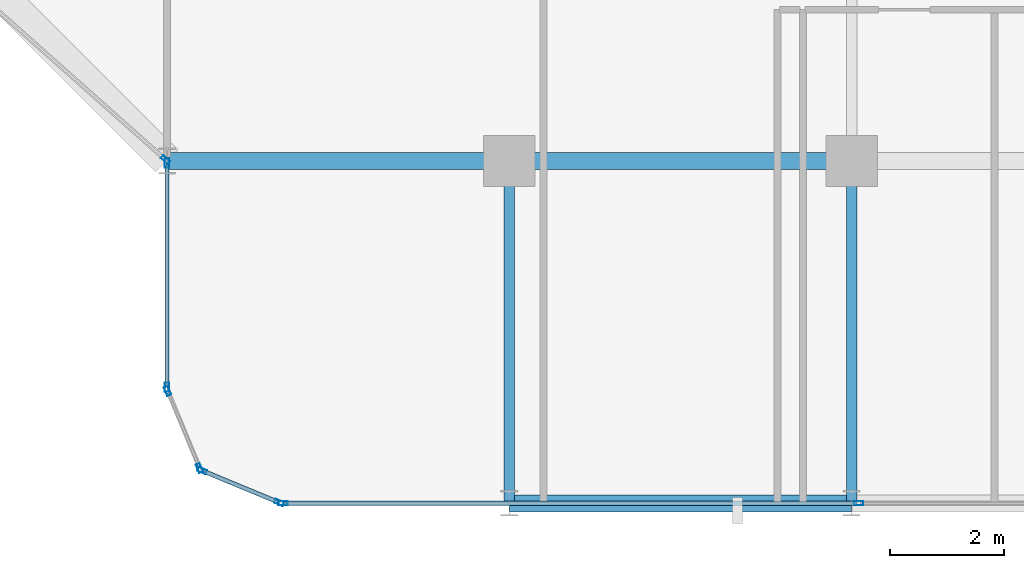
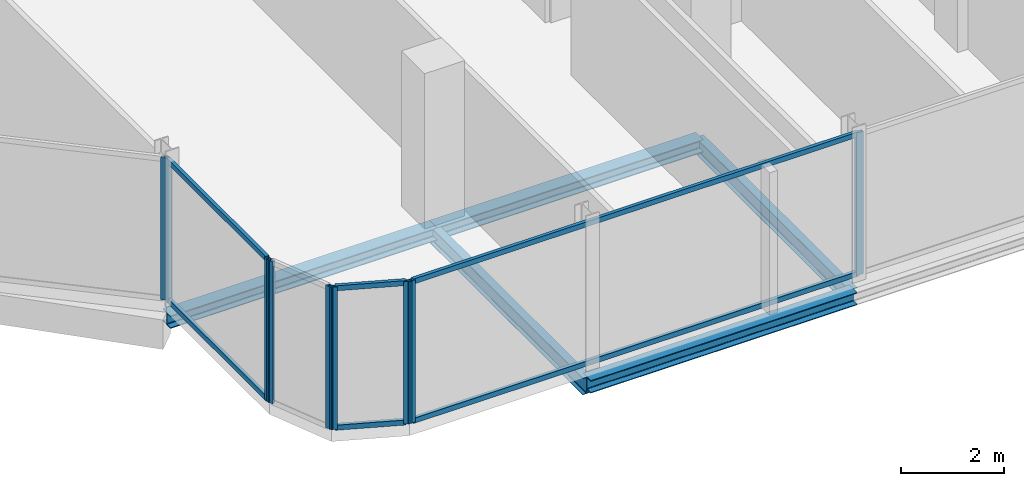
# One storey, part 6 of 29: 15 members, 5 beams, 5 elements without a shape of their own.
"""IFC4 building model written with IfcOpenShell, lengths in metres."""

from ifc_helpers import new_model, si_unit, direction, frame, origin, origin_2d, place, context, subcontext, project, spatial, hollow_rectangle, i_section, extrude, material, layer, layer_set, material_profile, profile_set, type_object, element, aggregate, save


model = new_model("IFC4")

# Units and contexts
model_context = context("Model", 3, precision=1e-05, world=origin(), true_north=direction((0.0, 1.0)))
body_context = subcontext(model_context, "Body", "Model", "MODEL_VIEW")
ifc_project = project(units=[si_unit("LENGTHUNIT", "METRE"), si_unit("AREAUNIT", "SQUARE_METRE"), si_unit("VOLUMEUNIT", "CUBIC_METRE"), si_unit("PLANEANGLEUNIT", "RADIAN"), si_unit("MASSUNIT", "GRAM", prefix="KILO")], contexts=[model_context])

# Site, building, storey
site_placement = place(None, origin())
site = spatial("IfcSite", under=ifc_project, at=site_placement, CompositionType="ELEMENT")
building_placement = place(site_placement, origin())
building = spatial("IfcBuilding", under=site, at=building_placement, Name="Keshet Zoharim Tower", CompositionType="ELEMENT")
storey_placement = place(building_placement, frame((0.0, 0.0, 203.199951171875)))
storey = spatial("IfcBuildingStorey", under=building, at=storey_placement, Name="L50", CompositionType="ELEMENT", Elevation=203.199951171875)

# Beams
ifc_material_1 = material(Name="Steel S355", Category="steel")
ifc_material_profile_1 = material_profile(ifc_material_1, i_section(OverallWidth=0.300048828125, OverallDepth=0.300048828125, WebThickness=0.010986328125, FlangeThickness=0.01904296875, FilletRadius=0.027099609375, at=origin_2d()), Name="HEB300")
ifc_profile_set_1 = profile_set([ifc_material_profile_1], Name="Steel S355")
beam_type_1 = type_object("IfcBeamType", Name="BM-PRI-HB300", PredefinedType="BEAM", material=ifc_profile_set_1)
for number, where, z_axis, x_axis, name in (
    (1, (27.0, 0.699951171875, -0.4599609375), (1.0, 0.0, 0.0), (0.0, 1.0, 0.0), "L50 Primary Girder X-001"),
    (2, (21.0, 6.699951171875, -0.4599609375), (1.0, 0.0, 0.0), (0.0, 1.0, 0.0), "L50 Primary Girder X-005"),
    (3, (27.0, 6.699951171875, -0.4599609375), (1.0, 0.0, 0.0), (0.0, 1.0, 0.0), "L50 Primary Girder X-006"),
):
    element("IfcBeam", number, at=place(storey_placement, frame(where, z_axis=z_axis, x_axis=x_axis)), inside=storey, type_object=beam_type_1, Name=name, PredefinedType="BEAM", context=body_context, shape_type="SweptSolid", body=[
        extrude(i_section(OverallWidth=0.300048828125, OverallDepth=0.300048828125, WebThickness=0.010986328125, FlangeThickness=0.01904296875, FilletRadius=0.027099609375, at=origin_2d()), origin(), (0.0, 0.0, 1.0), 6.0),
    ])
ifc_material_profile_2 = material_profile(ifc_material_1, i_section(OverallWidth=0.179931640625, OverallDepth=0.39990234375, WebThickness=0.008544921875, FlangeThickness=0.013427734375, FilletRadius=0.02099609375, at=origin_2d()), Name="IPE400")
ifc_profile_set_2 = profile_set([ifc_material_profile_2], Name="Steel S355")
beam_type_2 = type_object("IfcBeamType", Name="BM-PRI-IP400", PredefinedType="BEAM", material=ifc_profile_set_2)
for number, where, z_axis, x_axis, name in (
    (4, (27.0, 0.699951171875, -0.510009765625), (0.0, 1.0, 0.0), (-1.0, 0.0, 0.0), "L50 Primary Girder Y-004"),
    (5, (33.0, 0.699951171875, -0.510009765625), (0.0, 1.0, 0.0), (-1.0, 0.0, 0.0), "L50 Primary Girder Y-005"),
):
    element("IfcBeam", number, at=place(storey_placement, frame(where, z_axis=z_axis, x_axis=x_axis)), inside=storey, type_object=beam_type_2, Name=name, PredefinedType="BEAM", context=body_context, shape_type="SweptSolid", body=[
        extrude(i_section(OverallWidth=0.179931640625, OverallDepth=0.39990234375, WebThickness=0.008544921875, FlangeThickness=0.013427734375, FilletRadius=0.02099609375, at=origin_2d()), origin(), (0.0, 0.0, 1.0), 6.0),
    ])

# Curtain wall, members
ifc_material_2 = material(Name="Aluminium 6063-T6", Category="aluminium")
ifc_layer = layer(ifc_material_2, 0.139892578125)
ifc_layer_set = layer_set([ifc_layer], Name="Aluminium 6063-T6")
curtain_wall_type = type_object("IfcCurtainWallType", Name="CW-SYS-05", PredefinedType="NOTDEFINED", material=ifc_layer_set)
curtain_wall_1_placement = place(storey_placement, origin())
curtain_wall_1 = element("IfcCurtainWall", 6, at=curtain_wall_1_placement, inside=storey, type_object=curtain_wall_type, Name="L50 Unitised Curtain Wall 06 Part 3", PredefinedType="NOTDEFINED")
ifc_material_profile_3 = material_profile(ifc_material_2, hollow_rectangle(XDim=0.074951171875, YDim=0.159912109375, WallThickness=0.00390625, at=origin_2d()), Name="MUL-75x160")
ifc_profile_set_3 = profile_set([ifc_material_profile_3], Name="Aluminium 6063-T6")
member_type_1 = type_object("IfcMemberType", Name="CWM-M15", PredefinedType="MULLION", material=ifc_profile_set_3)
member_1_placement = place(storey_placement, frame((33.1259765625, 0.699951171875, 0.0), z_axis=(0.0, 0.0, 1.0), x_axis=(0.0, -1.0, 0.0)))
member_1 = element("IfcMember", 7, at=member_1_placement, type_object=member_type_1, Name="CW-05 mullion 2", PredefinedType="MULLION", context=body_context, shape_type="SweptSolid", body=[
    extrude(hollow_rectangle(XDim=0.074951171875, YDim=0.159912109375, WallThickness=0.00390625, at=origin_2d()), origin(), (0.0, 0.0, 1.0), 3.39013671875),
])
member_2_placement = place(storey_placement, frame((23.034912109375, 0.699951171875, 0.0), z_axis=(0.0, 0.0, 1.0), x_axis=(0.0, -1.0, 0.0)))
member_2 = element("IfcMember", 8, at=member_2_placement, type_object=member_type_1, Name="CW-05 mullion 3", PredefinedType="MULLION", context=body_context, shape_type="SweptSolid", body=[
    extrude(hollow_rectangle(XDim=0.074951171875, YDim=0.159912109375, WallThickness=0.00390625, at=origin_2d()), origin(), (0.0, 0.0, 1.0), 3.39013671875),
])

curtain_wall_2_placement = place(storey_placement, origin())
curtain_wall_2 = element("IfcCurtainWall", 9, at=curtain_wall_2_placement, inside=storey, type_object=curtain_wall_type, Name="L50 Unitised Curtain Wall 07", PredefinedType="NOTDEFINED")
member_3_placement = place(storey_placement, frame((22.9677734375, 0.71337890625, 0.0), z_axis=(0.0, 0.0, 1.0), x_axis=(-0.382851849847, -0.92380975372, 0.0)))
member_3 = element("IfcMember", 10, at=member_3_placement, type_object=member_type_1, Name="CW-05 mullion 1", PredefinedType="MULLION", context=body_context, shape_type="SweptSolid", body=[
    extrude(hollow_rectangle(XDim=0.074951171875, YDim=0.159912109375, WallThickness=0.00390625, at=origin_2d()), origin(), (0.0, 0.0, 1.0), 3.39013671875),
])
member_4_placement = place(storey_placement, frame((21.618408203125, 1.272705078125, 0.0), z_axis=(0.0, 0.0, 1.0), x_axis=(-0.382851849847, -0.92380975372, 0.0)))
member_4 = element("IfcMember", 11, at=member_4_placement, type_object=member_type_1, Name="CW-05 mullion 2", PredefinedType="MULLION", context=body_context, shape_type="SweptSolid", body=[
    extrude(hollow_rectangle(XDim=0.074951171875, YDim=0.159912109375, WallThickness=0.00390625, at=origin_2d()), origin(), (0.0, 0.0, 1.0), 3.39013671875),
])

curtain_wall_3_placement = place(storey_placement, origin())
curtain_wall_3 = element("IfcCurtainWall", 12, at=curtain_wall_3_placement, inside=storey, type_object=curtain_wall_type, Name="L50 Unitised Curtain Wall 08", PredefinedType="NOTDEFINED")
member_5_placement = place(storey_placement, frame((21.572509765625, 1.318359375, 0.0), z_axis=(0.0, 0.0, 1.0), x_axis=(-0.92380975372, -0.382851849847, 0.0)))
member_5 = element("IfcMember", 13, at=member_5_placement, type_object=member_type_1, Name="CW-05 mullion 1", PredefinedType="MULLION", context=body_context, shape_type="SweptSolid", body=[
    extrude(hollow_rectangle(XDim=0.074951171875, YDim=0.159912109375, WallThickness=0.00390625, at=origin_2d()), origin(), (0.0, 0.0, 1.0), 3.39013671875),
])
member_6_placement = place(storey_placement, frame((21.013427734375, 2.667724609375, 0.0), z_axis=(0.0, 0.0, 1.0), x_axis=(-0.92380975372, -0.382851849847, 0.0)))
member_6 = element("IfcMember", 14, at=member_6_placement, type_object=member_type_1, Name="CW-05 mullion 2", PredefinedType="MULLION", context=body_context, shape_type="SweptSolid", body=[
    extrude(hollow_rectangle(XDim=0.074951171875, YDim=0.159912109375, WallThickness=0.00390625, at=origin_2d()), origin(), (0.0, 0.0, 1.0), 3.39013671875),
])
aggregate(curtain_wall_3, [member_5, member_6])

curtain_wall_4_placement = place(storey_placement, origin())
curtain_wall_4 = element("IfcCurtainWall", 15, at=curtain_wall_4_placement, inside=storey, type_object=curtain_wall_type, Name="L50 Unitised Curtain Wall 09", PredefinedType="NOTDEFINED")
member_7_placement = place(storey_placement, frame((21.0, 2.735107421875, 0.0), z_axis=(0.0, 0.0, 1.0), x_axis=(-1.0, 0.0, 0.0)))
member_7 = element("IfcMember", 16, at=member_7_placement, type_object=member_type_1, Name="CW-05 mullion 1", PredefinedType="MULLION", context=body_context, shape_type="SweptSolid", body=[
    extrude(hollow_rectangle(XDim=0.074951171875, YDim=0.159912109375, WallThickness=0.00390625, at=origin_2d()), origin(), (0.0, 0.0, 1.0), 3.39013671875),
])
member_8_placement = place(storey_placement, frame((21.0, 6.6650390625, 0.0), z_axis=(0.0, 0.0, 1.0), x_axis=(-1.0, 0.0, 0.0)))
member_8 = element("IfcMember", 17, at=member_8_placement, type_object=member_type_1, Name="CW-05 mullion 2", PredefinedType="MULLION", context=body_context, shape_type="SweptSolid", body=[
    extrude(hollow_rectangle(XDim=0.074951171875, YDim=0.159912109375, WallThickness=0.00390625, at=origin_2d()), origin(), (0.0, 0.0, 1.0), 3.39013671875),
])

# Curtain wall, member
curtain_wall_5_placement = place(storey_placement, origin())
curtain_wall_5 = element("IfcCurtainWall", 18, at=curtain_wall_5_placement, inside=storey, type_object=curtain_wall_type, Name="L50 Unitised Curtain Wall 10", PredefinedType="NOTDEFINED")
member_9_placement = place(storey_placement, frame((20.973876953125, 6.72314453125, 0.0), z_axis=(0.0, 0.0, 1.0), x_axis=(-0.664367613066, -0.74740596379, 0.0)))
member_9 = element("IfcMember", 19, at=member_9_placement, type_object=member_type_1, Name="CW-05 mullion 1", PredefinedType="MULLION", context=body_context, shape_type="SweptSolid", body=[
    extrude(hollow_rectangle(XDim=0.074951171875, YDim=0.159912109375, WallThickness=0.00390625, at=origin_2d()), origin(), (0.0, 0.0, 1.0), 3.39013671875),
])
aggregate(curtain_wall_5, [member_9])

# Member
ifc_material_profile_4 = material_profile(ifc_material_2, hollow_rectangle(XDim=0.074951171875, YDim=0.1201171875, WallThickness=0.00390625, at=origin_2d()), Name="TRN-75x120")
ifc_profile_set_4 = profile_set([ifc_material_profile_4], Name="Aluminium 6063-T6")
member_type_2 = type_object("IfcMemberType", Name="CWT-T12", PredefinedType="USERDEFINED", material=ifc_profile_set_4)
member_10_placement = place(storey_placement, frame((33.091064453125, 0.699951171875, 0.03515625), z_axis=(-1.0, 0.0, 0.0), x_axis=(0.0, -1.0, 0.0)))
member_10 = element("IfcMember", 20, at=member_10_placement, type_object=member_type_2, Name="CW-05 transom 2.1", ObjectType="TRANSOM", PredefinedType="USERDEFINED", context=body_context, shape_type="SweptSolid", body=[
    extrude(hollow_rectangle(XDim=0.074951171875, YDim=0.1201171875, WallThickness=0.00390625, at=origin_2d()), origin(), (0.0, 0.0, 1.0), 10.02099609375),
])

member_11_placement = place(storey_placement, frame((33.091064453125, 0.699951171875, 3.35498046875), z_axis=(-1.0, 0.0, 0.0), x_axis=(0.0, -1.0, 0.0)))
member_11 = element("IfcMember", 21, at=member_11_placement, type_object=member_type_2, Name="CW-05 transom 2.2", ObjectType="TRANSOM", PredefinedType="USERDEFINED", context=body_context, shape_type="SweptSolid", body=[
    extrude(hollow_rectangle(XDim=0.074951171875, YDim=0.1201171875, WallThickness=0.00390625, at=origin_2d()), origin(), (0.0, 0.0, 1.0), 10.02099609375),
])

aggregate(curtain_wall_1, [member_1, member_2, member_10, member_11])

member_12_placement = place(storey_placement, frame((22.935302734375, 0.726806640625, 0.03515625), z_axis=(-0.92379209995, 0.382894445076, 0.0), x_axis=(-0.382894445076, -0.92379209995, 0.0)))
member_12 = element("IfcMember", 22, at=member_12_placement, type_object=member_type_2, Name="CW-05 transom 1.1", ObjectType="TRANSOM", PredefinedType="USERDEFINED", context=body_context, shape_type="SweptSolid", body=[
    extrude(hollow_rectangle(XDim=0.074951171875, YDim=0.1201171875, WallThickness=0.00390625, at=origin_2d()), origin(), (0.0, 0.0, 1.0), 1.390625),
])

member_13_placement = place(storey_placement, frame((22.935302734375, 0.726806640625, 3.35498046875), z_axis=(-0.92379209995, 0.382894445076, 0.0), x_axis=(-0.382894445076, -0.92379209995, 0.0)))
member_13 = element("IfcMember", 23, at=member_13_placement, type_object=member_type_2, Name="CW-05 transom 1.2", ObjectType="TRANSOM", PredefinedType="USERDEFINED", context=body_context, shape_type="SweptSolid", body=[
    extrude(hollow_rectangle(XDim=0.074951171875, YDim=0.1201171875, WallThickness=0.00390625, at=origin_2d()), origin(), (0.0, 0.0, 1.0), 1.390625),
])

aggregate(curtain_wall_2, [member_3, member_4, member_12, member_13])

member_14_placement = place(storey_placement, frame((21.0, 2.77001953125, 0.03515625), z_axis=(0.0, 1.0, 0.0), x_axis=(-1.0, 0.0, 0.0)))
member_14 = element("IfcMember", 24, at=member_14_placement, type_object=member_type_2, Name="CW-05 transom 1.1", ObjectType="TRANSOM", PredefinedType="USERDEFINED", context=body_context, shape_type="SweptSolid", body=[
    extrude(hollow_rectangle(XDim=0.074951171875, YDim=0.1201171875, WallThickness=0.00390625, at=origin_2d()), origin(), (0.0, 0.0, 1.0), 3.85986328125),
])

member_15_placement = place(storey_placement, frame((21.0, 2.77001953125, 3.35498046875), z_axis=(0.0, 1.0, 0.0), x_axis=(-1.0, 0.0, 0.0)))
member_15 = element("IfcMember", 25, at=member_15_placement, type_object=member_type_2, Name="CW-05 transom 1.2", ObjectType="TRANSOM", PredefinedType="USERDEFINED", context=body_context, shape_type="SweptSolid", body=[
    extrude(hollow_rectangle(XDim=0.074951171875, YDim=0.1201171875, WallThickness=0.00390625, at=origin_2d()), origin(), (0.0, 0.0, 1.0), 3.85986328125),
])

aggregate(curtain_wall_4, [member_7, member_8, member_14, member_15])

save(model, "model.ifc")
